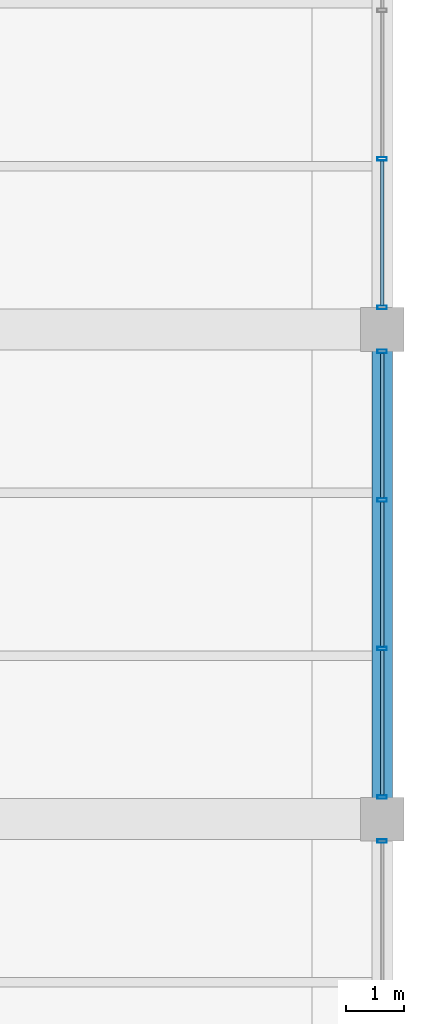
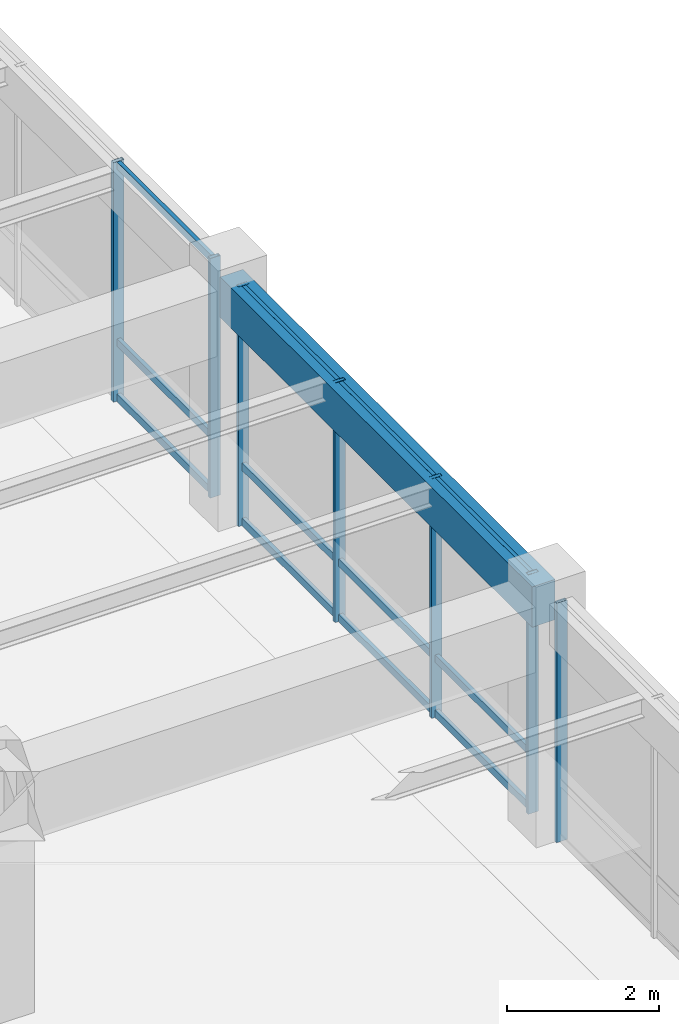
# One storey, part 104 of 152: 19 members, 1 beam, 3 elements without a shape of their own.
"""IFC4 building model written with IfcOpenShell, lengths in metres."""

from ifc_helpers import new_model, si_unit, direction, frame, origin, origin_2d, place, context, subcontext, project, spatial, rectangle, hollow_rectangle, extrude, material, material_profile, profile_set, type_object, element, aggregate, save


model = new_model("IFC4")

# Units and contexts
model_context = context("Model", 3, precision=1e-05, world=origin(), true_north=direction((0.0, 1.0)))
body_context = subcontext(model_context, "Body", "Model", "MODEL_VIEW")
ifc_project = project(units=[si_unit("LENGTHUNIT", "METRE"), si_unit("AREAUNIT", "SQUARE_METRE"), si_unit("VOLUMEUNIT", "CUBIC_METRE"), si_unit("PLANEANGLEUNIT", "RADIAN"), si_unit("MASSUNIT", "GRAM", prefix="KILO"), si_unit("THERMODYNAMICTEMPERATUREUNIT", "KELVIN"), si_unit("POWERUNIT", "WATT")], contexts=[model_context])

# Site, building, storey
site_placement = place(None, origin())
site = spatial("IfcSite", under=ifc_project, at=site_placement, CompositionType="ELEMENT")
building_placement = place(site_placement, origin())
building = spatial("IfcBuilding", under=site, at=building_placement, Name="Darbajah Civic Hall", CompositionType="ELEMENT")
storey_placement = place(building_placement, frame((0.0, 0.0, 5.39990234375)))
storey = spatial("IfcBuildingStorey", under=building, at=storey_placement, Name="L01", CompositionType="ELEMENT", Elevation=5.39990234375)

# Curtain wall, member
ifc_material_1 = material(Name="Anodised Bronze Aluminium and Low-E Glazing", Category="aluminium")
curtain_wall_type = type_object("IfcCurtainWallType", Name="Unitised Curtain Wall CW-96 7600x3850", PredefinedType="USERDEFINED", material=ifc_material_1)
curtain_wall_1_placement = place(storey_placement, origin())
curtain_wall_1 = element("IfcCurtainWall", 1, at=curtain_wall_1_placement, inside=storey, type_object=curtain_wall_type, Name="L01 unitised curtain wall CW-V4-L01-S1-B2", ObjectType="UNITISED CURTAIN WALL", PredefinedType="USERDEFINED")
ifc_material_2 = material(Name="Anodised Bronze Aluminium", Category="aluminium")
ifc_material_profile_1 = material_profile(ifc_material_2, hollow_rectangle(XDim=0.06005859375, YDim=0.159912109375, WallThickness=0.00341796875, at=origin_2d()), Name="ALU MULLION 60x160")
ifc_profile_set_1 = profile_set([ifc_material_profile_1], Name="Anodised Bronze Aluminium")
member_type_1 = type_object("IfcMemberType", Name="ALU MULLION 60x160", PredefinedType="MULLION", material=ifc_profile_set_1)
member_1_placement = place(storey_placement, frame((178.199951171875, 81.222900390625, 0.0), z_axis=(0.0, 0.0, 1.0), x_axis=(0.0, 1.0, 0.0)))
member_1 = element("IfcMember", 2, at=member_1_placement, type_object=member_type_1, Name="CW-V4-L01-S1-B2 mullion 4", PredefinedType="MULLION", context=body_context, shape_type="SweptSolid", body=[
    extrude(hollow_rectangle(XDim=0.06005859375, YDim=0.159912109375, WallThickness=0.00341796875, at=origin_2d()), origin(), (0.0, 0.0, 1.0), 3.860107421875),
])
aggregate(curtain_wall_1, [member_1])

# Curtain wall, members
curtain_wall_2_placement = place(storey_placement, origin())
curtain_wall_2 = element("IfcCurtainWall", 3, at=curtain_wall_2_placement, inside=storey, type_object=curtain_wall_type, Name="L01 unitised curtain wall CW-V4-L01-S1-B3", ObjectType="UNITISED CURTAIN WALL", PredefinedType="USERDEFINED")
member_2_placement = place(storey_placement, frame((178.199951171875, 81.97705078125, 0.0), z_axis=(0.0, 0.0, 1.0), x_axis=(0.0, 1.0, 0.0)))
member_2 = element("IfcMember", 4, at=member_2_placement, type_object=member_type_1, Name="CW-V4-L01-S1-B3 mullion 1", PredefinedType="MULLION", context=body_context, shape_type="SweptSolid", body=[
    extrude(hollow_rectangle(XDim=0.06005859375, YDim=0.159912109375, WallThickness=0.00341796875, at=origin_2d()), origin(), (0.0, 0.0, 1.0), 3.860107421875),
])
member_3_placement = place(storey_placement, frame((178.199951171875, 84.525634765625, 0.0), z_axis=(0.0, 0.0, 1.0), x_axis=(0.0, 1.0, 0.0)))
member_3 = element("IfcMember", 5, at=member_3_placement, type_object=member_type_1, Name="CW-V4-L01-S1-B3 mullion 2", PredefinedType="MULLION", context=body_context, shape_type="SweptSolid", body=[
    extrude(hollow_rectangle(XDim=0.06005859375, YDim=0.159912109375, WallThickness=0.00341796875, at=origin_2d()), origin(), (0.0, 0.0, 1.0), 3.860107421875),
])
member_4_placement = place(storey_placement, frame((178.199951171875, 87.07421875, 0.0), z_axis=(0.0, 0.0, 1.0), x_axis=(0.0, 1.0, 0.0)))
member_4 = element("IfcMember", 6, at=member_4_placement, type_object=member_type_1, Name="CW-V4-L01-S1-B3 mullion 3", PredefinedType="MULLION", context=body_context, shape_type="SweptSolid", body=[
    extrude(hollow_rectangle(XDim=0.06005859375, YDim=0.159912109375, WallThickness=0.00341796875, at=origin_2d()), origin(), (0.0, 0.0, 1.0), 3.860107421875),
])
member_5_placement = place(storey_placement, frame((178.199951171875, 89.623046875, 0.0), z_axis=(0.0, 0.0, 1.0), x_axis=(0.0, 1.0, 0.0)))
member_5 = element("IfcMember", 7, at=member_5_placement, type_object=member_type_1, Name="CW-V4-L01-S1-B3 mullion 4", PredefinedType="MULLION", context=body_context, shape_type="SweptSolid", body=[
    extrude(hollow_rectangle(XDim=0.06005859375, YDim=0.159912109375, WallThickness=0.00341796875, at=origin_2d()), origin(), (0.0, 0.0, 1.0), 3.860107421875),
])

curtain_wall_3_placement = place(storey_placement, origin())
curtain_wall_3 = element("IfcCurtainWall", 8, at=curtain_wall_3_placement, inside=storey, type_object=curtain_wall_type, Name="L01 unitised curtain wall CW-V4-L01-S1-B4", ObjectType="UNITISED CURTAIN WALL", PredefinedType="USERDEFINED")
member_6_placement = place(storey_placement, frame((178.199951171875, 90.376953125, 0.0), z_axis=(0.0, 0.0, 1.0), x_axis=(0.0, 1.0, 0.0)))
member_6 = element("IfcMember", 9, at=member_6_placement, type_object=member_type_1, Name="CW-V4-L01-S1-B4 mullion 1", PredefinedType="MULLION", context=body_context, shape_type="SweptSolid", body=[
    extrude(hollow_rectangle(XDim=0.06005859375, YDim=0.159912109375, WallThickness=0.00341796875, at=origin_2d()), origin(), (0.0, 0.0, 1.0), 3.860107421875),
])
member_7_placement = place(storey_placement, frame((178.199951171875, 92.92578125, 0.0), z_axis=(0.0, 0.0, 1.0), x_axis=(0.0, 1.0, 0.0)))
member_7 = element("IfcMember", 10, at=member_7_placement, type_object=member_type_1, Name="CW-V4-L01-S1-B4 mullion 2", PredefinedType="MULLION", context=body_context, shape_type="SweptSolid", body=[
    extrude(hollow_rectangle(XDim=0.06005859375, YDim=0.159912109375, WallThickness=0.00341796875, at=origin_2d()), origin(), (0.0, 0.0, 1.0), 3.860107421875),
])

# Member
ifc_material_profile_2 = material_profile(ifc_material_2, hollow_rectangle(XDim=0.06005859375, YDim=0.1201171875, WallThickness=0.003173828125, at=origin_2d()), Name="ALU TRANSOM 60x120")
ifc_profile_set_2 = profile_set([ifc_material_profile_2], Name="Anodised Bronze Aluminium")
member_type_2 = type_object("IfcMemberType", Name="ALU TRANSOM 60x120", PredefinedType="USERDEFINED", material=ifc_profile_set_2)
member_8_placement = place(storey_placement, frame((178.199951171875, 82.011962890625, 0.06005859375), z_axis=(0.0, 1.0, 0.0), x_axis=(-1.0, 0.0, 0.0)))
member_8 = element("IfcMember", 11, at=member_8_placement, type_object=member_type_2, Name="CW-V4-L01-S1-B3 transom 1.1", ObjectType="TRANSOM", PredefinedType="USERDEFINED", context=body_context, shape_type="SweptSolid", body=[
    extrude(hollow_rectangle(XDim=0.06005859375, YDim=0.1201171875, WallThickness=0.003173828125, at=origin_2d()), origin(), (0.0, 0.0, 1.0), 2.478759765625),
])

member_9_placement = place(storey_placement, frame((178.199951171875, 82.011962890625, 0.9501953125), z_axis=(0.0, 1.0, 0.0), x_axis=(-1.0, 0.0, 0.0)))
member_9 = element("IfcMember", 12, at=member_9_placement, type_object=member_type_2, Name="CW-V4-L01-S1-B3 transom 1.2", ObjectType="TRANSOM", PredefinedType="USERDEFINED", context=body_context, shape_type="SweptSolid", body=[
    extrude(hollow_rectangle(XDim=0.06005859375, YDim=0.1201171875, WallThickness=0.003173828125, at=origin_2d()), origin(), (0.0, 0.0, 1.0), 2.478759765625),
])

member_10_placement = place(storey_placement, frame((178.199951171875, 82.011962890625, 3.800048828125), z_axis=(0.0, 1.0, 0.0), x_axis=(-1.0, 0.0, 0.0)))
member_10 = element("IfcMember", 13, at=member_10_placement, type_object=member_type_2, Name="CW-V4-L01-S1-B3 transom 1.3", ObjectType="TRANSOM", PredefinedType="USERDEFINED", context=body_context, shape_type="SweptSolid", body=[
    extrude(hollow_rectangle(XDim=0.06005859375, YDim=0.1201171875, WallThickness=0.003173828125, at=origin_2d()), origin(), (0.0, 0.0, 1.0), 2.478759765625),
])

member_11_placement = place(storey_placement, frame((178.199951171875, 84.560791015625, 0.06005859375), z_axis=(0.0, 1.0, 0.0), x_axis=(-1.0, 0.0, 0.0)))
member_11 = element("IfcMember", 14, at=member_11_placement, type_object=member_type_2, Name="CW-V4-L01-S1-B3 transom 2.1", ObjectType="TRANSOM", PredefinedType="USERDEFINED", context=body_context, shape_type="SweptSolid", body=[
    extrude(hollow_rectangle(XDim=0.06005859375, YDim=0.1201171875, WallThickness=0.003173828125, at=origin_2d()), origin(), (0.0, 0.0, 1.0), 2.478515625),
])

member_12_placement = place(storey_placement, frame((178.199951171875, 84.560791015625, 0.9501953125), z_axis=(0.0, 1.0, 0.0), x_axis=(-1.0, 0.0, 0.0)))
member_12 = element("IfcMember", 15, at=member_12_placement, type_object=member_type_2, Name="CW-V4-L01-S1-B3 transom 2.2", ObjectType="TRANSOM", PredefinedType="USERDEFINED", context=body_context, shape_type="SweptSolid", body=[
    extrude(hollow_rectangle(XDim=0.06005859375, YDim=0.1201171875, WallThickness=0.003173828125, at=origin_2d()), origin(), (0.0, 0.0, 1.0), 2.478515625),
])

member_13_placement = place(storey_placement, frame((178.199951171875, 84.560791015625, 3.800048828125), z_axis=(0.0, 1.0, 0.0), x_axis=(-1.0, 0.0, 0.0)))
member_13 = element("IfcMember", 16, at=member_13_placement, type_object=member_type_2, Name="CW-V4-L01-S1-B3 transom 2.3", ObjectType="TRANSOM", PredefinedType="USERDEFINED", context=body_context, shape_type="SweptSolid", body=[
    extrude(hollow_rectangle(XDim=0.06005859375, YDim=0.1201171875, WallThickness=0.003173828125, at=origin_2d()), origin(), (0.0, 0.0, 1.0), 2.478515625),
])

member_14_placement = place(storey_placement, frame((178.199951171875, 87.109375, 0.06005859375), z_axis=(0.0, 1.0, 0.0), x_axis=(-1.0, 0.0, 0.0)))
member_14 = element("IfcMember", 17, at=member_14_placement, type_object=member_type_2, Name="CW-V4-L01-S1-B3 transom 3.1", ObjectType="TRANSOM", PredefinedType="USERDEFINED", context=body_context, shape_type="SweptSolid", body=[
    extrude(hollow_rectangle(XDim=0.06005859375, YDim=0.1201171875, WallThickness=0.003173828125, at=origin_2d()), origin(), (0.0, 0.0, 1.0), 2.478515625),
])

member_15_placement = place(storey_placement, frame((178.199951171875, 87.109375, 0.9501953125), z_axis=(0.0, 1.0, 0.0), x_axis=(-1.0, 0.0, 0.0)))
member_15 = element("IfcMember", 18, at=member_15_placement, type_object=member_type_2, Name="CW-V4-L01-S1-B3 transom 3.2", ObjectType="TRANSOM", PredefinedType="USERDEFINED", context=body_context, shape_type="SweptSolid", body=[
    extrude(hollow_rectangle(XDim=0.06005859375, YDim=0.1201171875, WallThickness=0.003173828125, at=origin_2d()), origin(), (0.0, 0.0, 1.0), 2.478515625),
])

member_16_placement = place(storey_placement, frame((178.199951171875, 87.109375, 3.800048828125), z_axis=(0.0, 1.0, 0.0), x_axis=(-1.0, 0.0, 0.0)))
member_16 = element("IfcMember", 19, at=member_16_placement, type_object=member_type_2, Name="CW-V4-L01-S1-B3 transom 3.3", ObjectType="TRANSOM", PredefinedType="USERDEFINED", context=body_context, shape_type="SweptSolid", body=[
    extrude(hollow_rectangle(XDim=0.06005859375, YDim=0.1201171875, WallThickness=0.003173828125, at=origin_2d()), origin(), (0.0, 0.0, 1.0), 2.478515625),
])

aggregate(curtain_wall_2, [member_2, member_3, member_4, member_5, member_8, member_9, member_10, member_11, member_12, member_13, member_14, member_15, member_16])

member_17_placement = place(storey_placement, frame((178.199951171875, 90.412109375, 0.06005859375), z_axis=(0.0, 1.0, 0.0), x_axis=(-1.0, 0.0, 0.0)))
member_17 = element("IfcMember", 20, at=member_17_placement, type_object=member_type_2, Name="CW-V4-L01-S1-B4 transom 1.1", ObjectType="TRANSOM", PredefinedType="USERDEFINED", context=body_context, shape_type="SweptSolid", body=[
    extrude(hollow_rectangle(XDim=0.06005859375, YDim=0.1201171875, WallThickness=0.003173828125, at=origin_2d()), origin(), (0.0, 0.0, 1.0), 2.478515625),
])

member_18_placement = place(storey_placement, frame((178.199951171875, 90.412109375, 0.9501953125), z_axis=(0.0, 1.0, 0.0), x_axis=(-1.0, 0.0, 0.0)))
member_18 = element("IfcMember", 21, at=member_18_placement, type_object=member_type_2, Name="CW-V4-L01-S1-B4 transom 1.2", ObjectType="TRANSOM", PredefinedType="USERDEFINED", context=body_context, shape_type="SweptSolid", body=[
    extrude(hollow_rectangle(XDim=0.06005859375, YDim=0.1201171875, WallThickness=0.003173828125, at=origin_2d()), origin(), (0.0, 0.0, 1.0), 2.478515625),
])

member_19_placement = place(storey_placement, frame((178.199951171875, 90.412109375, 3.800048828125), z_axis=(0.0, 1.0, 0.0), x_axis=(-1.0, 0.0, 0.0)))
member_19 = element("IfcMember", 22, at=member_19_placement, type_object=member_type_2, Name="CW-V4-L01-S1-B4 transom 1.3", ObjectType="TRANSOM", PredefinedType="USERDEFINED", context=body_context, shape_type="SweptSolid", body=[
    extrude(hollow_rectangle(XDim=0.06005859375, YDim=0.1201171875, WallThickness=0.003173828125, at=origin_2d()), origin(), (0.0, 0.0, 1.0), 2.478515625),
])

aggregate(curtain_wall_3, [member_6, member_7, member_17, member_18, member_19])

# Beam
ifc_material_3 = material(Name="Concrete C45/55", Category="concrete")
ifc_material_profile_3 = material_profile(ifc_material_3, rectangle(XDim=0.35009765625, YDim=0.64990234375, at=origin_2d()), Name="RC SPANDREL 350x650")
ifc_profile_set_3 = profile_set([ifc_material_profile_3], Name="Concrete C45/55")
beam_type = type_object("IfcBeamType", Name="RC SPANDREL 350x650", PredefinedType="SPANDREL", material=ifc_profile_set_3)
beam_placement = place(storey_placement, frame((178.199951171875, 81.679931640625, 3.53515625), z_axis=(0.0, 1.0, 0.0), x_axis=(-1.0, 0.0, 0.0)))
element("IfcBeam", 23, at=beam_placement, inside=storey, type_object=beam_type, Name="L01 beam SP-3565", PredefinedType="SPANDREL", context=body_context, shape_type="SweptSolid", body=[
    extrude(rectangle(XDim=0.35009765625, YDim=0.64990234375, at=origin_2d()), origin(), (0.0, 0.0, 1.0), 8.239990234375),
])

save(model, "model.ifc")
